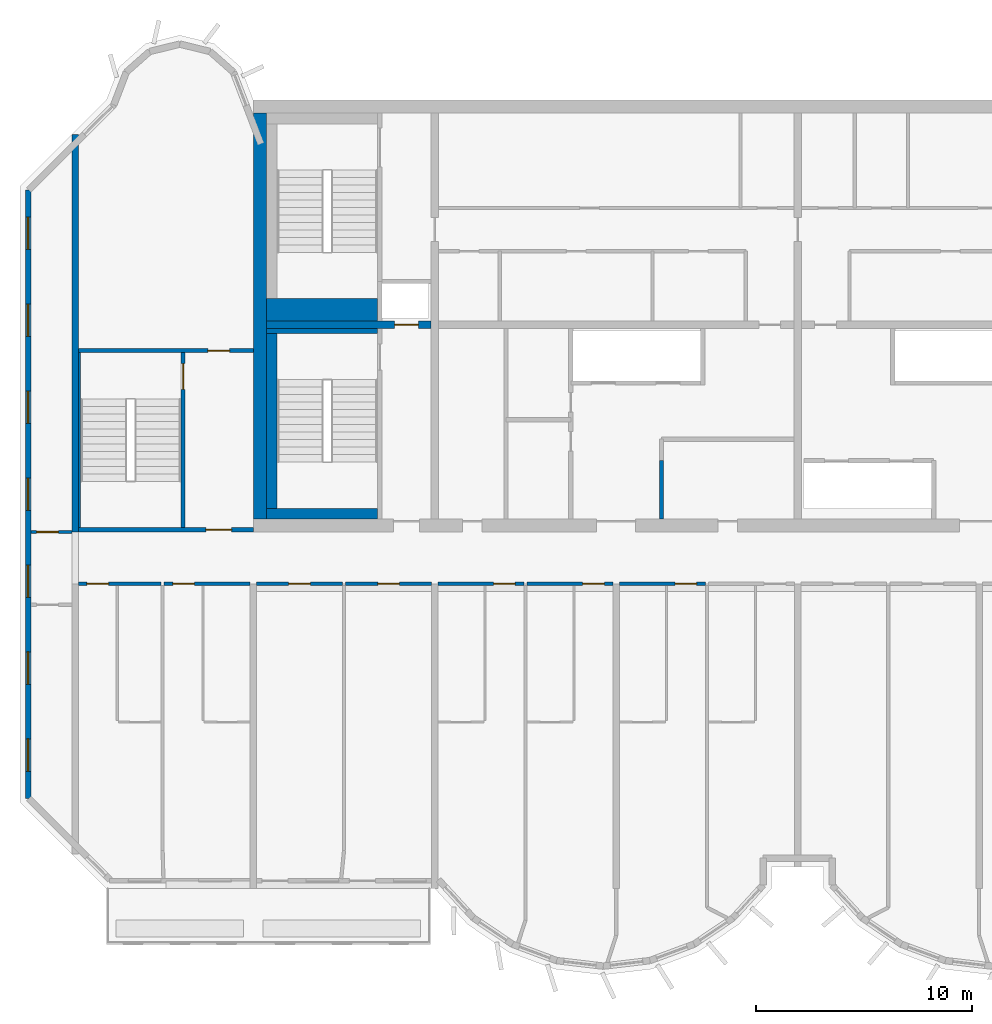
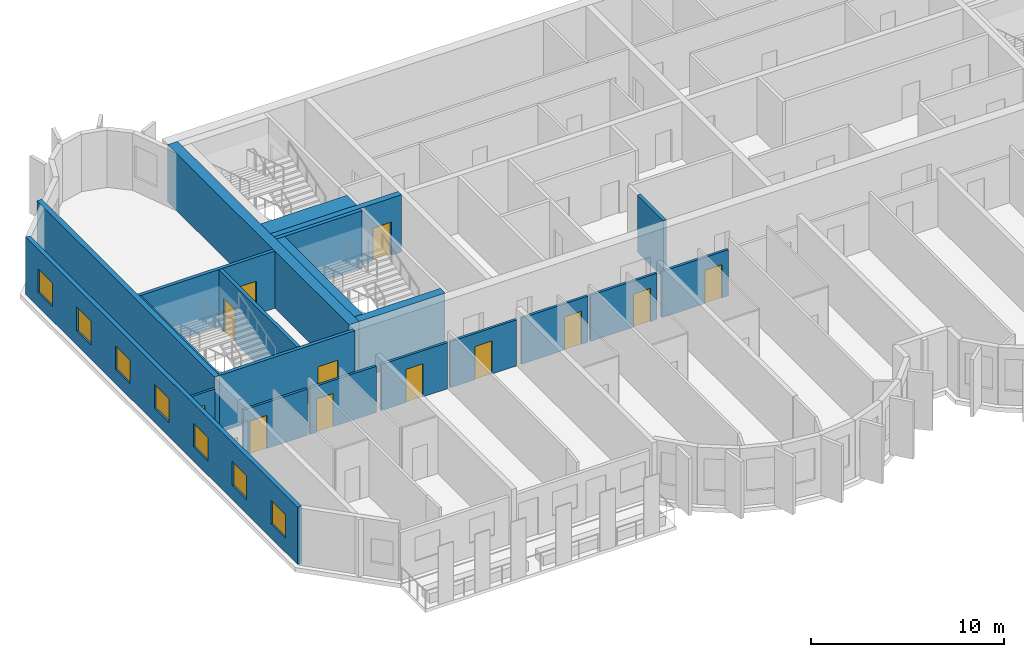
# One storey, part 3 of 11: 21 walls, 12 doors, 7 windows, 19 openings.
"""IFC4 building model written with IfcOpenShell, lengths in metres."""

import ifcopenshell
import ifcopenshell.guid

model = None  # the IFC model being written
_history = None  # IfcOwnerHistory: only IFC2X3 demands one
_inside = {}  # id of a spatial element -> (the spatial element, [elements in it])
_under = {}  # id of a project, library or spatial element -> (it, [spatial elements below it])
_declared = {}  # id of a project -> (the project, [libraries it declares])
_typed = {}  # id of a type object -> (the type object, [elements of that type])
_made_of = {}  # id of a material, layer set ... -> (it, [elements and type objects made of it])


def new_model(schema):
    """Start an empty IFC model of exactly this schema.

    Asked for "IFC4X3", IfcOpenShell would pick the latest addendum, in which some entities
    have other attributes; the version numbers below select the first issue.
    IFC2X3 requires an IfcOwnerHistory on every rooted entity: one is made here for all.
    """
    global model, _history
    if schema == "IFC4X3":
        model = ifcopenshell.file(schema_version=(4, 3, 0, 0))
    else:
        model = ifcopenshell.file(schema=schema)
    _inside.clear()
    _under.clear()
    _declared.clear()
    _typed.clear()
    _made_of.clear()
    _history = None
    if model.schema == "IFC2X3":
        org = make("IfcOrganization", Name="unknown")
        user = make(
            "IfcPersonAndOrganization",
            ThePerson=make("IfcPerson", FamilyName="unknown"),
            TheOrganization=org,
        )
        app = make(
            "IfcApplication",
            ApplicationDeveloper=org,
            Version="unknown",
            ApplicationFullName="unknown",
            ApplicationIdentifier="unknown",
        )
        _history = make(
            "IfcOwnerHistory",
            OwningUser=user,
            OwningApplication=app,
            ChangeAction="ADDED",
            CreationDate=0,
        )
    return model


def make(cls, **values):
    """One entity of the class cls with the attributes given. An attribute that is None is left unset."""
    return model.create_entity(
        cls, **{name: value for name, value in values.items() if value is not None}
    )


def rooted(cls, **values):
    """An entity with a GlobalId (a new one), such as an element, a storey or a relation."""
    return make(cls, GlobalId=ifcopenshell.guid.new(), OwnerHistory=_history, **values)


def si_unit(unit_type, name, prefix=None):
    """IfcSIUnit, for example si_unit("LENGTHUNIT", "METRE", prefix="MILLI")."""
    return make("IfcSIUnit", UnitType=unit_type, Prefix=prefix, Name=name)


def assignment(units):
    """IfcUnitAssignment: the units of a project."""
    return None if units is None else make("IfcUnitAssignment", Units=units)


def point(xyz):
    """IfcCartesianPoint."""
    return None if xyz is None else make("IfcCartesianPoint", Coordinates=xyz)


def direction(xyz):
    """IfcDirection."""
    return None if xyz is None else make("IfcDirection", DirectionRatios=xyz)


def frame(location, z_axis=None, x_axis=None):
    """IfcAxis2Placement3D, a coordinate frame: its origin and axes. An axis left out is left unset."""
    return make(
        "IfcAxis2Placement3D",
        Location=point(location),
        Axis=direction(z_axis),
        RefDirection=direction(x_axis),
    )


def frame_2d(location, x_axis=None):
    """IfcAxis2Placement2D, a coordinate frame in the plane: its origin and x axis."""
    return make(
        "IfcAxis2Placement2D", Location=point(location), RefDirection=direction(x_axis)
    )


def origin():
    """The frame at (0, 0, 0) with its axes left unset."""
    return frame((0.0, 0.0, 0.0))


def place(relative_to, where):
    """IfcLocalPlacement: puts the frame where relative to a parent placement (None: the world)."""
    return make(
        "IfcLocalPlacement", PlacementRelTo=relative_to, RelativePlacement=where
    )


def context(
    kind, dimensions, precision=None, world=None, true_north=None, identifier=None
):
    """IfcGeometricRepresentationContext, for example the 3D "Model" context."""
    return make(
        "IfcGeometricRepresentationContext",
        ContextIdentifier=identifier,
        ContextType=kind,
        CoordinateSpaceDimension=dimensions,
        Precision=precision,
        WorldCoordinateSystem=world,
        TrueNorth=true_north,
    )


def subcontext(parent, identifier, kind, view, scale=None):
    """IfcGeometricRepresentationSubContext, for example "Body" below "Model"."""
    return make(
        "IfcGeometricRepresentationSubContext",
        ContextIdentifier=identifier,
        ContextType=kind,
        ParentContext=parent,
        TargetScale=scale,
        TargetView=view,
    )


def project(units=None, contexts=None):
    """IfcProject with its units and contexts."""
    return rooted(
        "IfcProject",
        Name="project",
        RepresentationContexts=contexts,
        UnitsInContext=assignment(units),
    )


def spatial(cls, under=None, at=None, **own):
    """A site, building, storey or space (cls), placed at a placement, below another one or the project."""
    s = rooted(cls, ObjectPlacement=at, **own)
    if under is not None:
        _under.setdefault(under.id(), (under, []))[1].append(s)
    return s


def profile(cls, at=None, kind="AREA", **sizes):
    """A parametric profile (cls). Its sizes go by their IFC names, for example OverallWidth=200.0."""
    return make(cls, ProfileType=kind, Position=at, **sizes)


def rectangle(**sizes):
    """IfcRectangleProfileDef."""
    return profile("IfcRectangleProfileDef", **sizes)


def extrude(swept, where, along, depth):
    """IfcExtrudedAreaSolid: the profile swept, set in the frame where, extruded along a direction by depth."""
    return make(
        "IfcExtrudedAreaSolid",
        SweptArea=swept,
        Position=where,
        ExtrudedDirection=direction(along),
        Depth=depth,
    )


def shape(context_of_items, identifier, shape_type, items):
    """IfcShapeRepresentation: the items that make up one representation, for example the "Body"."""
    return make(
        "IfcShapeRepresentation",
        ContextOfItems=context_of_items,
        RepresentationIdentifier=identifier,
        RepresentationType=shape_type,
        Items=items,
    )


def source(mapping_origin, context_of_items, identifier, shape_type, items):
    """IfcRepresentationMap: a shape defined once, which mapped items show again and again."""
    return make(
        "IfcRepresentationMap",
        MappingOrigin=mapping_origin,
        MappedRepresentation=shape(context_of_items, identifier, shape_type, items),
    )


def transform(
    local_origin,
    x_axis=None,
    y_axis=None,
    z_axis=None,
    scale=None,
    scale2=None,
    scale3=None,
    uniform=True,
):
    """IfcCartesianTransformationOperator3D, or its non-uniform kind. x_axis, y_axis, z_axis: its Axis1, 2, 3."""
    if uniform:
        return make(
            "IfcCartesianTransformationOperator3D",
            Axis1=direction(x_axis),
            Axis2=direction(y_axis),
            LocalOrigin=point(local_origin),
            Scale=scale,
            Axis3=direction(z_axis),
        )
    return make(
        "IfcCartesianTransformationOperator3DnonUniform",
        Axis1=direction(x_axis),
        Axis2=direction(y_axis),
        LocalOrigin=point(local_origin),
        Scale=scale,
        Axis3=direction(z_axis),
        Scale2=scale2,
        Scale3=scale3,
    )


def mapped(mapping_source, mapping_target):
    """IfcMappedItem: shows the shape of a source again, moved by a transform."""
    return make(
        "IfcMappedItem", MappingSource=mapping_source, MappingTarget=mapping_target
    )


def material(Name=None, Category=None):
    """IfcMaterial."""
    return make("IfcMaterial", Name=Name, Category=Category)


def layer(
    of_material, thickness, ventilated=None, Name=None, Category=None, Priority=None
):
    """IfcMaterialLayer: one layer of a wall or slab, of a material (None: an air gap)."""
    return make(
        "IfcMaterialLayer",
        Material=of_material,
        LayerThickness=thickness,
        IsVentilated=ventilated,
        Name=Name,
        Category=Category,
        Priority=Priority,
    )


def layer_set(layers, Name=None):
    """IfcMaterialLayerSet."""
    return make("IfcMaterialLayerSet", MaterialLayers=layers, LayerSetName=Name)


def made_of(thing, what):
    """Note that an element or type object is made of a material, layer set ...; save() writes the relation."""
    if what is not None:
        _made_of.setdefault(what.id(), (what, []))[1].append(thing)
    return thing


def type_object(cls, material=None, **own):
    """A type object (cls), such as IfcWallType, which elements share."""
    return made_of(rooted(cls, **own), material)


def element(
    cls,
    number,
    at=None,
    inside=None,
    cuts=None,
    type_object=None,
    material=None,
    context=None,
    identifier="Body",
    shape_type=None,
    held_by="IfcProductDefinitionShape",
    body=None,
    shapes=None,
    **own,
):
    """One element of the class cls, such as IfcWall. Its Tag is "e" and its number.

    at: its placement. inside: the storey or other place that contains it. cuts: it is an
    opening in that element (IfcRelVoidsElement). A single representation is given by context,
    identifier, shape_type and body (its items); several are given by shapes. held_by: the class
    of the entity that holds the representations. save() writes the other relations.
    """
    e = rooted(cls, Tag="e%d" % number, ObjectPlacement=at, **own)
    if body is not None:
        shapes = [shape(context, identifier, shape_type, body)]
    if shapes is not None:
        e.Representation = make(held_by, Representations=shapes)
    if inside is not None:
        _inside.setdefault(inside.id(), (inside, []))[1].append(e)
    if cuts is not None:
        rooted(
            "IfcRelVoidsElement", RelatingBuildingElement=cuts, RelatedOpeningElement=e
        )
    if type_object is not None:
        _typed.setdefault(type_object.id(), (type_object, []))[1].append(e)
    return made_of(e, material)


def fill(opening, filler):
    """IfcRelFillsElement: the door or window that sits in an opening."""
    return rooted(
        "IfcRelFillsElement",
        RelatingOpeningElement=opening,
        RelatedBuildingElement=filler,
    )


def aggregate(whole, parts):
    """IfcRelAggregates: a whole, such as a stair, and the parts it consists of."""
    return rooted("IfcRelAggregates", RelatingObject=whole, RelatedObjects=parts)


def save(model, path):
    """Write the relations noted so far, then the file.

    IfcRelAggregates (storeys below a building ...), IfcRelContainedInSpatialStructure (elements
    in a storey), IfcRelDefinesByType, IfcRelAssociatesMaterial and IfcRelDeclares: one each for
    every whole, place, type object, material and project.
    """
    for whole, parts in _under.values():
        aggregate(whole, parts)
    for where, things in _inside.values():
        rooted(
            "IfcRelContainedInSpatialStructure",
            RelatedElements=things,
            RelatingStructure=where,
        )
    for kind, things in _typed.values():
        rooted("IfcRelDefinesByType", RelatedObjects=things, RelatingType=kind)
    for what, things in _made_of.values():
        rooted("IfcRelAssociatesMaterial", RelatedObjects=things, RelatingMaterial=what)
    for by, libraries in _declared.values():
        rooted("IfcRelDeclares", RelatingContext=by, RelatedDefinitions=libraries)
    model.write(path)


model = new_model("IFC4")

# Units and contexts
model_context = context("Model", 3, precision=1e-05, world=origin(), true_north=direction((0.0, 1.0)))
body_context = subcontext(model_context, "Body", "Model", "MODEL_VIEW")
ifc_project = project(units=[si_unit("LENGTHUNIT", "METRE"), si_unit("AREAUNIT", "SQUARE_METRE"), si_unit("VOLUMEUNIT", "CUBIC_METRE"), si_unit("PLANEANGLEUNIT", "RADIAN"), si_unit("MASSUNIT", "GRAM", prefix="KILO")], contexts=[model_context])

# Site, building, storey
site_placement = place(None, origin())
site = spatial("IfcSite", under=ifc_project, at=site_placement, CompositionType="ELEMENT")
building_placement = place(site_placement, origin())
building = spatial("IfcBuilding", under=site, at=building_placement, Name="Vanashikhar Sky Hotel", CompositionType="ELEMENT")
storey_placement = place(building_placement, frame((0.0, 0.0, 241.300048828125)))
storey = spatial("IfcBuildingStorey", under=building, at=storey_placement, Name="L58", CompositionType="ELEMENT", Elevation=241.300048828125)

# Wall
ifc_material_1 = material(Name="Concrete M60", Category="concrete")
ifc_layer_1 = layer(ifc_material_1, 0.60009765625)
ifc_layer_set_1 = layer_set([ifc_layer_1], Name="RC core shell wall 600 Concrete M60")
wall_type_1 = type_object("IfcWallType", Name="RC core shell wall 600 Concrete M60", PredefinedType="SHEAR", material=ifc_layer_set_1)
shared_shape_1 = source(origin(), body_context, "Body", "SweptSolid", [
    extrude(rectangle(XDim=18.7998046875, YDim=0.60009765625, at=frame_2d((9.39990234375, 0.0))), origin(), (0.0, 0.0, 1.0), 3.619873046875),
])
wall_1_placement = place(storey_placement, frame((25.5, 22.60009765625, 0.0), z_axis=(0.0, 0.0, 1.0), x_axis=(0.0, 1.0, 0.0)))
element("IfcWall", 1, at=wall_1_placement, inside=storey, type_object=wall_type_1, Name="KW-L58-KW", PredefinedType="SHEAR", context=body_context, shape_type="MappedRepresentation", body=[
    mapped(shared_shape_1, transform((0.0, 0.0, 0.0), scale=1.0)),
])

# Wall, opening, door
ifc_layer_2 = layer(ifc_material_1, 0.35009765625)
ifc_layer_set_2 = layer_set([ifc_layer_2], Name="RC core inner wall 350 Concrete M60")
wall_type_2 = type_object("IfcWallType", Name="RC core inner wall 350 Concrete M60", PredefinedType="SHEAR", material=ifc_layer_set_2)
shared_shape_2 = source(origin(), body_context, "Body", "SweptSolid", [
    extrude(rectangle(XDim=7.625, YDim=0.35009765625, at=frame_2d((3.8125, 0.0))), origin(), (0.0, 0.0, 1.0), 3.619873046875),
])
wall_2_placement = place(storey_placement, frame((25.800048828125, 31.60009765625, 0.0), z_axis=(0.0, 0.0, 1.0), x_axis=(1.0, 0.0, 0.0)))
wall_2 = element("IfcWall", 2, at=wall_2_placement, inside=storey, type_object=wall_type_2, Name="KW-L58-KY1", PredefinedType="SHEAR", context=body_context, shape_type="MappedRepresentation", body=[
    mapped(shared_shape_2, transform((0.0, 0.0, 0.0), scale=1.0)),
])
shared_shape_3 = source(origin(), body_context, "Body", "SweptSolid", [
    extrude(rectangle(XDim=1.10009765625, YDim=2.10009765625, at=frame_2d((0.550048828125, 1.050048828125))), frame((0.0, 0.18505859375, 0.0), z_axis=(0.0, -1.0, 0.0), x_axis=(1.0, 0.0, 0.0)), (0.0, 0.0, 1.0), 0.3701171875),
])
opening_1_placement = place(wall_2_placement, frame((5.93798828125, 0.0, 0.0)))
opening_1 = element("IfcOpeningElement", 3, at=opening_1_placement, cuts=wall_2, Name="Opening LD", PredefinedType="OPENING", context=body_context, shape_type="MappedRepresentation", body=[
    mapped(shared_shape_3, transform((0.0, 0.0, 0.0), scale=1.0)),
])
ifc_material_2 = material(Name="Stainless steel", Category="steel")
door_type_1 = type_object("IfcDoorType", Name="Lift landing door 1100", OperationType="NOTDEFINED", PredefinedType="DOOR", material=ifc_material_2)
shared_shape_4 = source(origin(), body_context, "Body", "SweptSolid", [
    extrude(rectangle(XDim=1.10009765625, YDim=2.10009765625, at=frame_2d((0.550048828125, 1.050048828125))), frame((0.0, 0.02490234375, 0.0), z_axis=(0.0, -1.0, 0.0), x_axis=(1.0, 0.0, 0.0)), (0.0, 0.0, 1.0), 0.050048828125),
])
door_1_placement = place(opening_1_placement, origin())
door_1 = element("IfcDoor", 4, at=door_1_placement, inside=storey, type_object=door_type_1, Name="Lift landing door 1100", OperationType="SLIDING_TO_RIGHT", OverallHeight=2.10009765625, OverallWidth=1.10009765625, PredefinedType="DOOR", context=body_context, shape_type="MappedRepresentation", body=[
    mapped(shared_shape_4, transform((0.0, 0.0, 0.0), scale=1.0)),
])
fill(opening_1, door_1)

# Wall
ifc_layer_3 = layer(ifc_material_1, 0.300048828125)
ifc_layer_set_3 = layer_set([ifc_layer_3], Name="RC shear wall 300 Concrete M60")
wall_type_3 = type_object("IfcWallType", Name="RC shear wall 300 Concrete M60", PredefinedType="SHEAR", material=ifc_layer_set_3)
shared_shape_5 = source(origin(), body_context, "Body", "SweptSolid", [
    extrude(rectangle(XDim=18.39990234375, YDim=0.300048828125, at=frame_2d((9.199951171875, 0.0))), origin(), (0.0, 0.0, 1.0), 3.619873046875),
])
wall_3_placement = place(storey_placement, frame((16.949951171875, 22.0, 0.0), z_axis=(0.0, 0.0, 1.0), x_axis=(0.0, 1.0, 0.0)))
element("IfcWall", 5, at=wall_3_placement, inside=storey, type_object=wall_type_3, Name="CW-L58-XW03-2", PredefinedType="SHEAR", context=body_context, shape_type="MappedRepresentation", body=[
    mapped(shared_shape_5, transform((0.0, 0.0, 0.0), scale=1.0)),
])

# Wall, openings, windows
ifc_material_3 = material(Name="Concrete M50", Category="concrete")
ifc_layer_4 = layer(ifc_material_3, 0.25)
ifc_layer_set_4 = layer_set([ifc_layer_4], Name="Rear and end board-marked wall 250")
wall_type_4 = type_object("IfcWallType", Name="Rear and end board-marked wall 250", PredefinedType="SOLIDWALL", material=ifc_layer_set_4)
shared_shape_6 = source(origin(), body_context, "Body", "SweptSolid", [
    extrude(rectangle(XDim=28.189453125, YDim=0.25, at=frame_2d((14.0947265625, 0.0))), origin(), (0.0, 0.0, 1.0), 3.619873046875),
])
wall_4_placement = place(storey_placement, frame((14.77490234375, 37.8447265625, 0.0), z_axis=(0.0, 0.0, 1.0), x_axis=(0.0, -1.0, 0.0)))
wall_4 = element("IfcWall", 6, at=wall_4_placement, inside=storey, type_object=wall_type_4, Name="End board-marked wall", PredefinedType="SOLIDWALL", context=body_context, shape_type="MappedRepresentation", body=[
    mapped(shared_shape_6, transform((0.0, 0.0, 0.0), scale=1.0)),
])
shared_shape_7 = source(origin(), body_context, "Body", "SweptSolid", [
    extrude(rectangle(XDim=1.5, YDim=1.5, at=frame_2d((0.75, 0.75))), frame((0.0, 0.135009765625, 0.0), z_axis=(0.0, -1.0, 0.0), x_axis=(1.0, 0.0, 0.0)), (0.0, 0.0, 1.0), 0.27001953125),
])
opening_2_placement = place(wall_4_placement, frame((1.263427734375, 0.0, 0.89990234375)))
opening_2 = element("IfcOpeningElement", 7, at=opening_2_placement, cuts=wall_4, Name="Opening WN-1", PredefinedType="OPENING", context=body_context, shape_type="MappedRepresentation", body=[
    mapped(shared_shape_7, transform((0.0, 0.0, 0.0), scale=1.0)),
])
opening_3_placement = place(wall_4_placement, frame((5.29052734375, 0.0, 0.89990234375)))
opening_3 = element("IfcOpeningElement", 8, at=opening_3_placement, cuts=wall_4, Name="Opening WN-1", PredefinedType="OPENING", context=body_context, shape_type="MappedRepresentation", body=[
    mapped(shared_shape_7, transform((0.0, 0.0, 0.0), scale=1.0)),
])
opening_4_placement = place(wall_4_placement, frame((9.317626953125, 0.0, 0.89990234375)))
opening_4 = element("IfcOpeningElement", 9, at=opening_4_placement, cuts=wall_4, Name="Opening WN-1", PredefinedType="OPENING", context=body_context, shape_type="MappedRepresentation", body=[
    mapped(shared_shape_7, transform((0.0, 0.0, 0.0), scale=1.0)),
])
opening_5_placement = place(wall_4_placement, frame((13.3447265625, 0.0, 0.89990234375)))
opening_5 = element("IfcOpeningElement", 10, at=opening_5_placement, cuts=wall_4, Name="Opening WN-1", PredefinedType="OPENING", context=body_context, shape_type="MappedRepresentation", body=[
    mapped(shared_shape_7, transform((0.0, 0.0, 0.0), scale=1.0)),
])
opening_6_placement = place(wall_4_placement, frame((17.371826171875, 0.0, 0.89990234375)))
opening_6 = element("IfcOpeningElement", 11, at=opening_6_placement, cuts=wall_4, Name="Opening WN-1", PredefinedType="OPENING", context=body_context, shape_type="MappedRepresentation", body=[
    mapped(shared_shape_7, transform((0.0, 0.0, 0.0), scale=1.0)),
])
opening_7_placement = place(wall_4_placement, frame((21.398681640625, 0.0, 0.89990234375)))
opening_7 = element("IfcOpeningElement", 12, at=opening_7_placement, cuts=wall_4, Name="Opening WN-1", PredefinedType="OPENING", context=body_context, shape_type="MappedRepresentation", body=[
    mapped(shared_shape_7, transform((0.0, 0.0, 0.0), scale=1.0)),
])
opening_8_placement = place(wall_4_placement, frame((25.42578125, 0.0, 0.89990234375)))
opening_8 = element("IfcOpeningElement", 13, at=opening_8_placement, cuts=wall_4, Name="Opening WN-1", PredefinedType="OPENING", context=body_context, shape_type="MappedRepresentation", body=[
    mapped(shared_shape_7, transform((0.0, 0.0, 0.0), scale=1.0)),
])
ifc_material_4 = material(Name="Glass", Category="glass")
window_type = type_object("IfcWindowType", Name="Window 1500 x 1500", PartitioningType="SINGLE_PANEL", PredefinedType="WINDOW", material=ifc_material_4)
shared_shape_8 = source(origin(), body_context, "Body", "SweptSolid", [
    extrude(rectangle(XDim=1.5, YDim=1.5, at=frame_2d((0.75, 0.75))), frame((0.0, 0.030029296875, 0.0), z_axis=(0.0, -1.0, 0.0), x_axis=(1.0, 0.0, 0.0)), (0.0, 0.0, 1.0), 0.06005859375),
])
window_1_placement = place(opening_2_placement, origin())
window_1 = element("IfcWindow", 14, at=window_1_placement, inside=storey, type_object=window_type, Name="Window WN-1", OverallHeight=1.5, OverallWidth=1.5, PartitioningType="SINGLE_PANEL", PredefinedType="WINDOW", context=body_context, shape_type="MappedRepresentation", body=[
    mapped(shared_shape_8, transform((0.0, 0.0, 0.0), scale=1.0)),
])
fill(opening_2, window_1)
window_2_placement = place(opening_3_placement, origin())
window_2 = element("IfcWindow", 15, at=window_2_placement, inside=storey, type_object=window_type, Name="Window WN-1", OverallHeight=1.5, OverallWidth=1.5, PartitioningType="SINGLE_PANEL", PredefinedType="WINDOW", context=body_context, shape_type="MappedRepresentation", body=[
    mapped(shared_shape_8, transform((0.0, 0.0, 0.0), scale=1.0)),
])
fill(opening_3, window_2)
window_3_placement = place(opening_4_placement, origin())
window_3 = element("IfcWindow", 16, at=window_3_placement, inside=storey, type_object=window_type, Name="Window WN-1", OverallHeight=1.5, OverallWidth=1.5, PartitioningType="SINGLE_PANEL", PredefinedType="WINDOW", context=body_context, shape_type="MappedRepresentation", body=[
    mapped(shared_shape_8, transform((0.0, 0.0, 0.0), scale=1.0)),
])
fill(opening_4, window_3)
window_4_placement = place(opening_5_placement, origin())
window_4 = element("IfcWindow", 17, at=window_4_placement, inside=storey, type_object=window_type, Name="Window WN-1", OverallHeight=1.5, OverallWidth=1.5, PartitioningType="SINGLE_PANEL", PredefinedType="WINDOW", context=body_context, shape_type="MappedRepresentation", body=[
    mapped(shared_shape_8, transform((0.0, 0.0, 0.0), scale=1.0)),
])
fill(opening_5, window_4)
window_5_placement = place(opening_6_placement, origin())
window_5 = element("IfcWindow", 18, at=window_5_placement, inside=storey, type_object=window_type, Name="Window WN-1", OverallHeight=1.5, OverallWidth=1.5, PartitioningType="SINGLE_PANEL", PredefinedType="WINDOW", context=body_context, shape_type="MappedRepresentation", body=[
    mapped(shared_shape_8, transform((0.0, 0.0, 0.0), scale=1.0)),
])
fill(opening_6, window_5)
window_6_placement = place(opening_7_placement, origin())
window_6 = element("IfcWindow", 19, at=window_6_placement, inside=storey, type_object=window_type, Name="Window WN-1", OverallHeight=1.5, OverallWidth=1.5, PartitioningType="SINGLE_PANEL", PredefinedType="WINDOW", context=body_context, shape_type="MappedRepresentation", body=[
    mapped(shared_shape_8, transform((0.0, 0.0, 0.0), scale=1.0)),
])
fill(opening_7, window_6)
window_7_placement = place(opening_8_placement, origin())
window_7 = element("IfcWindow", 20, at=window_7_placement, inside=storey, type_object=window_type, Name="Window WN-1", OverallHeight=1.5, OverallWidth=1.5, PartitioningType="SINGLE_PANEL", PredefinedType="WINDOW", context=body_context, shape_type="MappedRepresentation", body=[
    mapped(shared_shape_8, transform((0.0, 0.0, 0.0), scale=1.0)),
])
fill(opening_8, window_7)

# Wall
ifc_material_5 = material(Name="Gypsum board partition")
ifc_layer_5 = layer(ifc_material_5, 0.14990234375)
ifc_layer_set_5 = layer_set([ifc_layer_5], Name="Service partition 150")
wall_type_5 = type_object("IfcWallType", Name="Service partition 150", PredefinedType="PARTITIONING", material=ifc_layer_set_5)
shared_shape_9 = source(origin(), body_context, "Body", "SweptSolid", [
    extrude(rectangle(XDim=2.699951171875, YDim=0.199951171875, at=frame_2d((1.35009765625, 0.0))), origin(), (0.0, 0.0, 1.0), 3.619873046875),
])
wall_5_placement = place(storey_placement, frame((44.10009765625, 22.60009765625, 0.0), z_axis=(0.0, 0.0, 1.0), x_axis=(0.0, 1.0, 0.0)))
element("IfcWall", 21, at=wall_5_placement, inside=storey, type_object=wall_type_5, Name="Service partition 150", PredefinedType="PARTITIONING", context=body_context, shape_type="MappedRepresentation", body=[
    mapped(shared_shape_9, transform((0.0, 0.0, 0.0), scale=1.0)),
])

# Wall, opening, door
ifc_layer_6 = layer(ifc_material_3, 0.199951171875)
ifc_layer_set_6 = layer_set([ifc_layer_6], Name="Stair wall 200")
wall_type_6 = type_object("IfcWallType", Name="Stair wall 200", PredefinedType="SOLIDWALL", material=ifc_layer_set_6)
shared_shape_10 = source(origin(), body_context, "Body", "SweptSolid", [
    extrude(rectangle(XDim=8.2998046875, YDim=0.199951171875, at=frame_2d((4.14990234375, 0.0))), origin(), (0.0, 0.0, 1.0), 3.619873046875),
])
wall_6_placement = place(storey_placement, frame((21.949951171875, 22.10009765625, 0.0), z_axis=(0.0, 0.0, 1.0), x_axis=(0.0, 1.0, 0.0)))
wall_6 = element("IfcWall", 22, at=wall_6_placement, inside=storey, type_object=wall_type_6, Name="Stair wall 200", PredefinedType="SOLIDWALL", context=body_context, shape_type="MappedRepresentation", body=[
    mapped(shared_shape_10, transform((0.0, 0.0, 0.0), scale=1.0)),
])
shared_shape_11 = source(origin(), body_context, "Body", "SweptSolid", [
    extrude(rectangle(XDim=1.199951171875, YDim=2.10009765625, at=frame_2d((0.60009765625, 1.050048828125))), frame((0.0, 0.10986328125, 0.0), z_axis=(0.0, -1.0, 0.0), x_axis=(1.0, 0.0, 0.0)), (0.0, 0.0, 1.0), 0.219970703125),
])
opening_9_placement = place(wall_6_placement, frame((6.5, 0.0, 0.0)))
opening_9 = element("IfcOpeningElement", 23, at=opening_9_placement, cuts=wall_6, Name="Opening DC-1", PredefinedType="OPENING", context=body_context, shape_type="MappedRepresentation", body=[
    mapped(shared_shape_11, transform((0.0, 0.0, 0.0), scale=1.0)),
])
ifc_material_6 = material(Name="Steel", Category="steel")
door_type_2 = type_object("IfcDoorType", Name="Stair door 1200 FD120", OperationType="NOTDEFINED", PredefinedType="DOOR", material=ifc_material_6)
shared_shape_12 = source(origin(), body_context, "Body", "SweptSolid", [
    extrude(rectangle(XDim=1.199951171875, YDim=2.10009765625, at=frame_2d((0.60009765625, 1.050048828125))), frame((0.0, 0.02490234375, 0.0), z_axis=(0.0, -1.0, 0.0), x_axis=(1.0, 0.0, 0.0)), (0.0, 0.0, 1.0), 0.050048828125),
])
door_2_placement = place(opening_9_placement, origin())
door_2 = element("IfcDoor", 24, at=door_2_placement, inside=storey, type_object=door_type_2, Name="Stair door 1200 FD120", OperationType="SINGLE_SWING_LEFT", OverallHeight=2.10009765625, OverallWidth=1.199951171875, PredefinedType="DOOR", context=body_context, shape_type="MappedRepresentation", body=[
    mapped(shared_shape_12, transform((0.0, 0.0, 0.0), scale=1.0)),
])
fill(opening_9, door_2)

shared_shape_13 = source(origin(), body_context, "Body", "SweptSolid", [
    extrude(rectangle(XDim=8.099853515625, YDim=0.199951171875, at=frame_2d((4.0498046875, 0.0))), origin(), (0.0, 0.0, 1.0), 3.619873046875),
])
wall_7_placement = place(storey_placement, frame((17.10009765625, 22.10009765625, 0.0), z_axis=(0.0, 0.0, 1.0), x_axis=(1.0, 0.0, 0.0)))
wall_7 = element("IfcWall", 25, at=wall_7_placement, inside=storey, type_object=wall_type_6, Name="Stair wall 200", PredefinedType="SOLIDWALL", context=body_context, shape_type="MappedRepresentation", body=[
    mapped(shared_shape_13, transform((0.0, 0.0, 0.0), scale=1.0)),
])
opening_10_placement = place(wall_7_placement, frame((5.89990234375, 0.0, 0.0)))
opening_10 = element("IfcOpeningElement", 26, at=opening_10_placement, cuts=wall_7, Name="Opening DC-2", PredefinedType="OPENING", context=body_context, shape_type="MappedRepresentation", body=[
    mapped(shared_shape_11, transform((0.0, 0.0, 0.0), scale=1.0)),
])
door_type_3 = type_object("IfcDoorType", Name="Firefighting lobby door 1200 FD120", OperationType="NOTDEFINED", PredefinedType="DOOR", material=ifc_material_6)
door_3_placement = place(opening_10_placement, origin())
door_3 = element("IfcDoor", 27, at=door_3_placement, inside=storey, type_object=door_type_3, Name="Firefighting lobby door 1200 FD120", OperationType="SINGLE_SWING_LEFT", OverallHeight=2.10009765625, OverallWidth=1.199951171875, PredefinedType="DOOR", context=body_context, shape_type="MappedRepresentation", body=[
    mapped(shared_shape_12, transform((0.0, 0.0, 0.0), scale=1.0)),
])
fill(opening_10, door_3)

wall_8_placement = place(storey_placement, frame((17.10009765625, 30.39990234375, 0.0), z_axis=(0.0, 0.0, 1.0), x_axis=(1.0, 0.0, 0.0)))
wall_8 = element("IfcWall", 28, at=wall_8_placement, inside=storey, type_object=wall_type_6, Name="Stair wall 200", PredefinedType="SOLIDWALL", context=body_context, shape_type="MappedRepresentation", body=[
    mapped(shared_shape_13, transform((0.0, 0.0, 0.0), scale=1.0)),
])
shared_shape_14 = source(origin(), body_context, "Body", "SweptSolid", [
    extrude(rectangle(XDim=1.0, YDim=2.10009765625, at=frame_2d((0.5, 1.050048828125))), frame((0.0, 0.10986328125, 0.0), z_axis=(0.0, -1.0, 0.0), x_axis=(1.0, 0.0, 0.0)), (0.0, 0.0, 1.0), 0.219970703125),
])
opening_11_placement = place(wall_8_placement, frame((6.0, 0.0, 0.0)))
opening_11 = element("IfcOpeningElement", 29, at=opening_11_placement, cuts=wall_8, Name="Opening DC-6", PredefinedType="OPENING", context=body_context, shape_type="MappedRepresentation", body=[
    mapped(shared_shape_14, transform((0.0, 0.0, 0.0), scale=1.0)),
])
door_type_4 = type_object("IfcDoorType", Name="Pocket door 1000 FD60", OperationType="NOTDEFINED", PredefinedType="DOOR", material=ifc_material_6)
shared_shape_15 = source(origin(), body_context, "Body", "SweptSolid", [
    extrude(rectangle(XDim=1.0, YDim=2.10009765625, at=frame_2d((0.5, 1.050048828125))), frame((0.0, 0.02490234375, 0.0), z_axis=(0.0, -1.0, 0.0), x_axis=(1.0, 0.0, 0.0)), (0.0, 0.0, 1.0), 0.050048828125),
])
door_4_placement = place(opening_11_placement, origin())
door_4 = element("IfcDoor", 30, at=door_4_placement, inside=storey, type_object=door_type_4, Name="Pocket door 1000 FD60", OperationType="SINGLE_SWING_LEFT", OverallHeight=2.10009765625, OverallWidth=1.0, PredefinedType="DOOR", context=body_context, shape_type="MappedRepresentation", body=[
    mapped(shared_shape_15, transform((0.0, 0.0, 0.0), scale=1.0)),
])
fill(opening_11, door_4)

# Walls
ifc_layer_7 = layer(ifc_material_3, 0.5)
ifc_layer_set_7 = layer_set([ifc_layer_7], Name="Stair infill wall 500")
wall_type_7 = type_object("IfcWallType", Name="Stair infill wall 500", PredefinedType="SOLIDWALL", material=ifc_layer_set_7)
shared_shape_16 = source(origin(), body_context, "Body", "SweptSolid", [
    extrude(rectangle(XDim=5.14990234375, YDim=0.5, at=frame_2d((2.574951171875, 0.0))), origin(), (0.0, 0.0, 1.0), 3.619873046875),
])
wall_9_placement = place(storey_placement, frame((25.800048828125, 22.85009765625, 0.0), z_axis=(0.0, 0.0, 1.0), x_axis=(1.0, 0.0, 0.0)))
element("IfcWall", 31, at=wall_9_placement, inside=storey, type_object=wall_type_7, Name="Stair infill wall 500", PredefinedType="SOLIDWALL", context=body_context, shape_type="MappedRepresentation", body=[
    mapped(shared_shape_16, transform((0.0, 0.0, 0.0), scale=1.0)),
])
ifc_layer_8 = layer(ifc_material_3, 0.22509765625)
ifc_layer_set_8 = layer_set([ifc_layer_8], Name="Stair infill wall 225")
wall_type_8 = type_object("IfcWallType", Name="Stair infill wall 225", PredefinedType="SOLIDWALL", material=ifc_layer_set_8)
shared_shape_17 = source(origin(), body_context, "Body", "SweptSolid", [
    extrude(rectangle(XDim=5.14990234375, YDim=0.22509765625, at=frame_2d((2.574951171875, 0.0))), origin(), (0.0, 0.0, 1.0), 3.619873046875),
])
wall_10_placement = place(storey_placement, frame((25.800048828125, 31.31201171875, 0.0), z_axis=(0.0, 0.0, 1.0), x_axis=(1.0, 0.0, 0.0)))
element("IfcWall", 32, at=wall_10_placement, inside=storey, type_object=wall_type_8, Name="Stair infill wall 225", PredefinedType="SOLIDWALL", context=body_context, shape_type="MappedRepresentation", body=[
    mapped(shared_shape_17, transform((0.0, 0.0, 0.0), scale=1.0)),
])
shared_shape_18 = source(origin(), body_context, "Body", "SweptSolid", [
    extrude(rectangle(XDim=8.099853515625, YDim=0.5, at=frame_2d((4.0498046875, 0.0))), origin(), (0.0, 0.0, 1.0), 3.619873046875),
])
wall_11_placement = place(storey_placement, frame((26.050048828125, 23.10009765625, 0.0), z_axis=(0.0, 0.0, 1.0), x_axis=(0.0, 1.0, 0.0)))
element("IfcWall", 33, at=wall_11_placement, inside=storey, type_object=wall_type_7, Name="Stair infill wall 500", PredefinedType="SOLIDWALL", context=body_context, shape_type="MappedRepresentation", body=[
    mapped(shared_shape_18, transform((0.0, 0.0, 0.0), scale=1.0)),
])
ifc_layer_9 = layer(ifc_material_3, 0.10009765625)
ifc_layer_set_9 = layer_set([ifc_layer_9], Name="Stair infill wall 100")
wall_type_9 = type_object("IfcWallType", Name="Stair infill wall 100", PredefinedType="SOLIDWALL", material=ifc_layer_set_9)
shared_shape_19 = source(origin(), body_context, "Body", "SweptSolid", [
    extrude(rectangle(XDim=8.10009765625, YDim=0.10009765625, at=frame_2d((4.050048828125, 0.0))), origin(), (0.0, 0.0, 1.0), 3.619873046875),
])
wall_12_placement = place(storey_placement, frame((17.14990234375, 22.199951171875, 0.0), z_axis=(0.0, 0.0, 1.0), x_axis=(0.0, 1.0, 0.0)))
element("IfcWall", 34, at=wall_12_placement, inside=storey, type_object=wall_type_9, Name="Stair infill wall 100", PredefinedType="SOLIDWALL", context=body_context, shape_type="MappedRepresentation", body=[
    mapped(shared_shape_19, transform((0.0, 0.0, 0.0), scale=1.0)),
])
ifc_layer_10 = layer(ifc_material_3, 1.02490234375)
ifc_layer_set_10 = layer_set([ifc_layer_10], Name="Stair infill wall 1025")
wall_type_10 = type_object("IfcWallType", Name="Stair infill wall 1025", PredefinedType="SOLIDWALL", material=ifc_layer_set_10)
shared_shape_20 = source(origin(), body_context, "Body", "SweptSolid", [
    extrude(rectangle(XDim=5.14990234375, YDim=1.02490234375, at=frame_2d((2.574951171875, 0.0))), origin(), (0.0, 0.0, 1.0), 3.619873046875),
])
wall_13_placement = place(storey_placement, frame((25.800048828125, 32.287109375, 0.0), z_axis=(0.0, 0.0, 1.0), x_axis=(1.0, 0.0, 0.0)))
element("IfcWall", 35, at=wall_13_placement, inside=storey, type_object=wall_type_10, Name="Stair infill wall 1025", PredefinedType="SOLIDWALL", context=body_context, shape_type="MappedRepresentation", body=[
    mapped(shared_shape_20, transform((0.0, 0.0, 0.0), scale=1.0)),
])

# Wall, opening, door
ifc_material_7 = material(Name="Gypsum plasterboard partition")
ifc_layer_11 = layer(ifc_material_7, 0.14990234375)
ifc_layer_set_11 = layer_set([ifc_layer_11], Name="Corridor and demising partition 150")
wall_type_11 = type_object("IfcWallType", Name="Corridor and demising partition 150", PredefinedType="PARTITIONING", material=ifc_layer_set_11)
shared_shape_21 = source(origin(), body_context, "Body", "SweptSolid", [
    extrude(rectangle(XDim=3.824951171875, YDim=0.14990234375, at=frame_2d((1.91259765625, 0.0))), origin(), (0.0, 0.0, 1.0), 2.919921875),
])
wall_14_placement = place(storey_placement, frame((17.10009765625, 19.60009765625, 0.0), z_axis=(0.0, 0.0, 1.0), x_axis=(1.0, 0.0, 0.0)))
wall_14 = element("IfcWall", 36, at=wall_14_placement, inside=storey, type_object=wall_type_11, Name="W-L58-PW003", PredefinedType="PARTITIONING", context=body_context, shape_type="MappedRepresentation", body=[
    mapped(shared_shape_21, transform((0.0, 0.0, 0.0), scale=1.0)),
])
shared_shape_22 = source(origin(), body_context, "Body", "SweptSolid", [
    extrude(rectangle(XDim=1.0, YDim=2.10009765625, at=frame_2d((0.5, 1.050048828125))), frame((0.0, 0.0849609375, 0.0), z_axis=(0.0, -1.0, 0.0), x_axis=(1.0, 0.0, 0.0)), (0.0, 0.0, 1.0), 0.169921875),
])
opening_12_placement = place(wall_14_placement, frame((0.39990234375, 0.0, 0.0)))
opening_12 = element("IfcOpeningElement", 37, at=opening_12_placement, cuts=wall_14, Name="Opening D-01", PredefinedType="OPENING", context=body_context, shape_type="MappedRepresentation", body=[
    mapped(shared_shape_22, transform((0.0, 0.0, 0.0), scale=1.0)),
])
ifc_material_8 = material(Name="Timber fire door", Category="wood")
door_type_5 = type_object("IfcDoorType", Name="Guest entry door 1000 FD30S", OperationType="NOTDEFINED", PredefinedType="DOOR", material=ifc_material_8)
door_5_placement = place(opening_12_placement, origin())
door_5 = element("IfcDoor", 38, at=door_5_placement, inside=storey, type_object=door_type_5, Name="D-L58-002", OperationType="SINGLE_SWING_LEFT", OverallHeight=2.10009765625, OverallWidth=1.0, PredefinedType="DOOR", context=body_context, shape_type="MappedRepresentation", body=[
    mapped(shared_shape_15, transform((0.0, 0.0, 0.0), scale=1.0)),
])
fill(opening_12, door_5)

shared_shape_23 = source(origin(), body_context, "Body", "SweptSolid", [
    extrude(rectangle(XDim=3.97509765625, YDim=0.14990234375, at=frame_2d((1.987548828125, 0.0))), origin(), (0.0, 0.0, 1.0), 2.919921875),
])
wall_15_placement = place(storey_placement, frame((21.074951171875, 19.60009765625, 0.0), z_axis=(0.0, 0.0, 1.0), x_axis=(1.0, 0.0, 0.0)))
wall_15 = element("IfcWall", 39, at=wall_15_placement, inside=storey, type_object=wall_type_11, Name="W-L58-PW006", PredefinedType="PARTITIONING", context=body_context, shape_type="MappedRepresentation", body=[
    mapped(shared_shape_23, transform((0.0, 0.0, 0.0), scale=1.0)),
])
opening_13_placement = place(wall_15_placement, frame((0.39990234375, 0.0, 0.0)))
opening_13 = element("IfcOpeningElement", 40, at=opening_13_placement, cuts=wall_15, Name="Opening D-01", PredefinedType="OPENING", context=body_context, shape_type="MappedRepresentation", body=[
    mapped(shared_shape_22, transform((0.0, 0.0, 0.0), scale=1.0)),
])
door_6_placement = place(opening_13_placement, origin())
door_6 = element("IfcDoor", 41, at=door_6_placement, inside=storey, type_object=door_type_5, Name="D-L58-004", OperationType="SINGLE_SWING_LEFT", OverallHeight=2.10009765625, OverallWidth=1.0, PredefinedType="DOOR", context=body_context, shape_type="MappedRepresentation", body=[
    mapped(shared_shape_15, transform((0.0, 0.0, 0.0), scale=1.0)),
])
fill(opening_13, door_6)

wall_16_placement = place(storey_placement, frame((33.75, 19.60009765625, 0.0), z_axis=(0.0, 0.0, 1.0), x_axis=(1.0, 0.0, 0.0)))
wall_16 = element("IfcWall", 42, at=wall_16_placement, inside=storey, type_object=wall_type_11, Name="W-L58-PW013", PredefinedType="PARTITIONING", context=body_context, shape_type="MappedRepresentation", body=[
    mapped(shared_shape_23, transform((0.0, 0.0, 0.0), scale=1.0)),
])
opening_14_placement = place(wall_16_placement, frame((2.574951171875, 0.0, 0.0)))
opening_14 = element("IfcOpeningElement", 43, at=opening_14_placement, cuts=wall_16, Name="Opening D-01", PredefinedType="OPENING", context=body_context, shape_type="MappedRepresentation", body=[
    mapped(shared_shape_22, transform((0.0, 0.0, 0.0), scale=1.0)),
])
door_7_placement = place(opening_14_placement, origin())
door_7 = element("IfcDoor", 44, at=door_7_placement, inside=storey, type_object=door_type_5, Name="D-L58-008", OperationType="SINGLE_SWING_RIGHT", OverallHeight=2.10009765625, OverallWidth=1.0, PredefinedType="DOOR", context=body_context, shape_type="MappedRepresentation", body=[
    mapped(shared_shape_15, transform((0.0, 0.0, 0.0), scale=1.0)),
])
fill(opening_14, door_7)

wall_17_placement = place(storey_placement, frame((37.875, 19.60009765625, 0.0), z_axis=(0.0, 0.0, 1.0), x_axis=(1.0, 0.0, 0.0)))
wall_17 = element("IfcWall", 45, at=wall_17_placement, inside=storey, type_object=wall_type_11, Name="W-L58-PW016", PredefinedType="PARTITIONING", context=body_context, shape_type="MappedRepresentation", body=[
    mapped(shared_shape_23, transform((0.0, 0.0, 0.0), scale=1.0)),
])
opening_15_placement = place(wall_17_placement, frame((2.574951171875, 0.0, 0.0)))
opening_15 = element("IfcOpeningElement", 46, at=opening_15_placement, cuts=wall_17, Name="Opening D-01", PredefinedType="OPENING", context=body_context, shape_type="MappedRepresentation", body=[
    mapped(shared_shape_22, transform((0.0, 0.0, 0.0), scale=1.0)),
])
door_8_placement = place(opening_15_placement, origin())
door_8 = element("IfcDoor", 47, at=door_8_placement, inside=storey, type_object=door_type_5, Name="D-L58-010", OperationType="SINGLE_SWING_RIGHT", OverallHeight=2.10009765625, OverallWidth=1.0, PredefinedType="DOOR", context=body_context, shape_type="MappedRepresentation", body=[
    mapped(shared_shape_15, transform((0.0, 0.0, 0.0), scale=1.0)),
])
fill(opening_15, door_8)

wall_18_placement = place(storey_placement, frame((42.14990234375, 19.60009765625, 0.0), z_axis=(0.0, 0.0, 1.0), x_axis=(1.0, 0.0, 0.0)))
wall_18 = element("IfcWall", 48, at=wall_18_placement, inside=storey, type_object=wall_type_11, Name="W-L58-PW020", PredefinedType="PARTITIONING", context=body_context, shape_type="MappedRepresentation", body=[
    mapped(shared_shape_23, transform((0.0, 0.0, 0.0), scale=1.0)),
])
opening_16_placement = place(wall_18_placement, frame((2.574951171875, 0.0, 0.0)))
opening_16 = element("IfcOpeningElement", 49, at=opening_16_placement, cuts=wall_18, Name="Opening D-01", PredefinedType="OPENING", context=body_context, shape_type="MappedRepresentation", body=[
    mapped(shared_shape_22, transform((0.0, 0.0, 0.0), scale=1.0)),
])
door_9_placement = place(opening_16_placement, origin())
door_9 = element("IfcDoor", 50, at=door_9_placement, inside=storey, type_object=door_type_5, Name="D-L58-012", OperationType="SINGLE_SWING_RIGHT", OverallHeight=2.10009765625, OverallWidth=1.0, PredefinedType="DOOR", context=body_context, shape_type="MappedRepresentation", body=[
    mapped(shared_shape_15, transform((0.0, 0.0, 0.0), scale=1.0)),
])
fill(opening_16, door_9)

shared_shape_24 = source(origin(), body_context, "Body", "SweptSolid", [
    extrude(rectangle(XDim=3.974853515625, YDim=0.14990234375, at=frame_2d((1.9873046875, 0.0))), origin(), (0.0, 0.0, 1.0), 2.919921875),
])
wall_19_placement = place(storey_placement, frame((25.35009765625, 19.60009765625, 0.0), z_axis=(0.0, 0.0, 1.0), x_axis=(1.0, 0.0, 0.0)))
wall_19 = element("IfcWall", 51, at=wall_19_placement, inside=storey, type_object=wall_type_11, Name="W-L58-PW008", PredefinedType="PARTITIONING", context=body_context, shape_type="MappedRepresentation", body=[
    mapped(shared_shape_24, transform((0.0, 0.0, 0.0), scale=1.0)),
])
opening_17_placement = place(wall_19_placement, frame((1.487060546875, 0.0, 0.0)))
opening_17 = element("IfcOpeningElement", 52, at=opening_17_placement, cuts=wall_19, Name="Opening D-01", PredefinedType="OPENING", context=body_context, shape_type="MappedRepresentation", body=[
    mapped(shared_shape_22, transform((0.0, 0.0, 0.0), scale=1.0)),
])
door_10_placement = place(opening_17_placement, origin())
door_10 = element("IfcDoor", 53, at=door_10_placement, inside=storey, type_object=door_type_5, Name="D-L58-005", OperationType="SINGLE_SWING_LEFT", OverallHeight=2.10009765625, OverallWidth=1.0, PredefinedType="DOOR", context=body_context, shape_type="MappedRepresentation", body=[
    mapped(shared_shape_15, transform((0.0, 0.0, 0.0), scale=1.0)),
])
fill(opening_17, door_10)

wall_20_placement = place(storey_placement, frame((29.47509765625, 19.60009765625, 0.0), z_axis=(0.0, 0.0, 1.0), x_axis=(1.0, 0.0, 0.0)))
wall_20 = element("IfcWall", 54, at=wall_20_placement, inside=storey, type_object=wall_type_11, Name="W-L58-PW009", PredefinedType="PARTITIONING", context=body_context, shape_type="MappedRepresentation", body=[
    mapped(shared_shape_24, transform((0.0, 0.0, 0.0), scale=1.0)),
])
opening_18_placement = place(wall_20_placement, frame((1.487060546875, 0.0, 0.0)))
opening_18 = element("IfcOpeningElement", 55, at=opening_18_placement, cuts=wall_20, Name="Opening D-01", PredefinedType="OPENING", context=body_context, shape_type="MappedRepresentation", body=[
    mapped(shared_shape_22, transform((0.0, 0.0, 0.0), scale=1.0)),
])
door_11_placement = place(opening_18_placement, origin())
door_11 = element("IfcDoor", 56, at=door_11_placement, inside=storey, type_object=door_type_5, Name="D-L58-006", OperationType="SINGLE_SWING_RIGHT", OverallHeight=2.10009765625, OverallWidth=1.0, PredefinedType="DOOR", context=body_context, shape_type="MappedRepresentation", body=[
    mapped(shared_shape_15, transform((0.0, 0.0, 0.0), scale=1.0)),
])
fill(opening_18, door_11)

shared_shape_25 = source(origin(), body_context, "Body", "SweptSolid", [
    extrude(rectangle(XDim=1.900146484375, YDim=0.14990234375, at=frame_2d((0.9501953125, 0.0))), origin(), (0.0, 0.0, 1.0), 2.919921875),
])
wall_21_placement = place(storey_placement, frame((14.89990234375, 22.0, 0.0), z_axis=(0.0, 0.0, 1.0), x_axis=(1.0, 0.0, 0.0)))
wall_21 = element("IfcWall", 57, at=wall_21_placement, inside=storey, type_object=wall_type_11, Name="W-L58-PW041", PredefinedType="PARTITIONING", context=body_context, shape_type="MappedRepresentation", body=[
    mapped(shared_shape_25, transform((0.0, 0.0, 0.0), scale=1.0)),
])
opening_19_placement = place(wall_21_placement, frame((0.27490234375, 0.0, 0.0)))
opening_19 = element("IfcOpeningElement", 58, at=opening_19_placement, cuts=wall_21, Name="Opening D-01", PredefinedType="OPENING", context=body_context, shape_type="MappedRepresentation", body=[
    mapped(shared_shape_22, transform((0.0, 0.0, 0.0), scale=1.0)),
])
door_12_placement = place(opening_19_placement, origin())
door_12 = element("IfcDoor", 59, at=door_12_placement, inside=storey, type_object=door_type_5, Name="D-L58-024", OperationType="SINGLE_SWING_LEFT", OverallHeight=2.10009765625, OverallWidth=1.0, PredefinedType="DOOR", context=body_context, shape_type="MappedRepresentation", body=[
    mapped(shared_shape_15, transform((0.0, 0.0, 0.0), scale=1.0)),
])
fill(opening_19, door_12)

save(model, "model.ifc")
